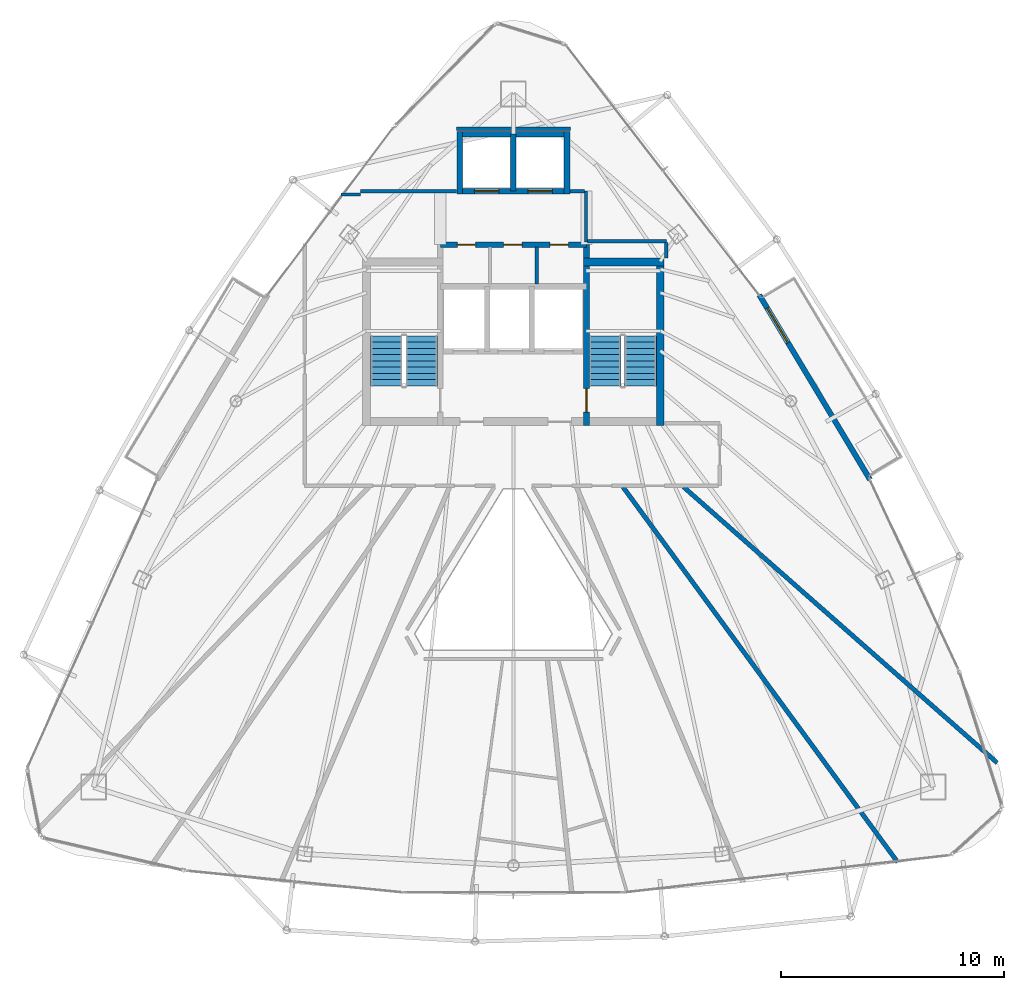
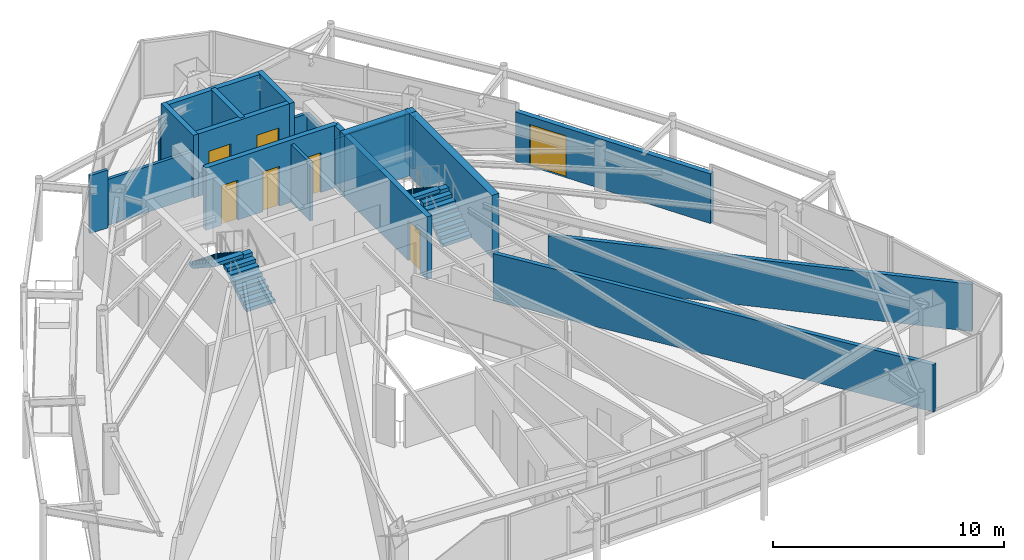
# One storey, part 26 of 28: 20 walls, 7 doors, 4 stair flights, 7 openings, 2 elements without a shape of their own.
"""IFC4 building model written with IfcOpenShell, lengths in metres."""

from ifc_helpers import new_model, si_unit, direction, frame, frame_2d, origin, place, context, subcontext, project, spatial, polyline, rectangle, outline, extrude, material, layer, layer_set, type_object, element, fill, aggregate, save


model = new_model("IFC4")

# Units and contexts
model_context = context("Model", 3, precision=1e-05, world=origin(), true_north=direction((0.0, 1.0)))
body_context = subcontext(model_context, "Body", "Model", "MODEL_VIEW")
ifc_project = project(units=[si_unit("LENGTHUNIT", "METRE"), si_unit("AREAUNIT", "SQUARE_METRE"), si_unit("VOLUMEUNIT", "CUBIC_METRE"), si_unit("PLANEANGLEUNIT", "RADIAN"), si_unit("MASSUNIT", "GRAM", prefix="KILO")], contexts=[model_context])

# Site, building, storey
site_placement = place(None, origin())
site = spatial("IfcSite", under=ifc_project, at=site_placement, CompositionType="ELEMENT")
building_placement = place(site_placement, origin())
building = spatial("IfcBuilding", under=site, at=building_placement, Name="Orvanel Arch Residences", CompositionType="ELEMENT")
storey_placement = place(building_placement, frame((0.0, 0.0, 263.449951171875)))
storey = spatial("IfcBuildingStorey", under=building, at=storey_placement, Name="L75", CompositionType="ELEMENT", Elevation=263.449951171875)

# Wall, opening, door
ifc_material_1 = material(Name="Precast concrete N50 (50 MPa)", Category="concrete")
ifc_layer_1 = layer(ifc_material_1, 0.239990234375)
ifc_layer_set_1 = layer_set([ifc_layer_1], Name="Precast concrete N50 (50 MPa)")
wall_type_1 = type_object("IfcWallType", Name="EW-BAL-240", PredefinedType="SOLIDWALL", material=ifc_layer_set_1)
wall_1_placement = place(storey_placement, frame((48.97998046875, 24.1220703125, 0.0), z_axis=(0.0, 0.0, 1.0), x_axis=(-0.514361929684, 0.857573206958, 0.0)))
wall_1 = element("IfcWall", 1, at=wall_1_placement, inside=storey, type_object=wall_type_1, Name="L75 Balcony Threshold Wall Face 3", PredefinedType="SOLIDWALL", context=body_context, shape_type="SweptSolid", body=[
    extrude(rectangle(XDim=9.65869140625, YDim=0.239990234375, at=frame_2d((4.829345703125, 0.0))), origin(), (0.0, 0.0, 1.0), 2.6240234375),
])
opening_1_placement = place(wall_1_placement, frame((7.162109375, 0.0, 0.0)))
opening_1 = element("IfcOpeningElement", 2, at=opening_1_placement, cuts=wall_1, Name="Opening DB-180", PredefinedType="OPENING", context=body_context, shape_type="SweptSolid", body=[
    extrude(rectangle(XDim=1.800048828125, YDim=2.199951171875, at=frame_2d((0.89990234375, 1.10009765625))), frame((0.0, 0.1298828125, 0.0), z_axis=(0.0, -1.0, 0.0), x_axis=(1.0, 0.0, 0.0)), (0.0, 0.0, 1.0), 0.260009765625),
])
ifc_material_2 = material(Name="Bronze-anodised aluminium AA6063-T6", Category="aluminium")
door_type_1 = type_object("IfcDoorType", Name="DR-BAL-1800", OperationType="NOTDEFINED", PredefinedType="DOOR", material=ifc_material_2)
door_1_placement = place(opening_1_placement, origin())
door_1 = element("IfcDoor", 3, at=door_1_placement, inside=storey, type_object=door_type_1, Name="DR-L75-BAL-F3 L75 Planted Balcony Access Door Face 3", OperationType="SINGLE_SWING_RIGHT", OverallHeight=2.199951171875, OverallWidth=1.800048828125, PredefinedType="DOOR", context=body_context, shape_type="SweptSolid", body=[
    extrude(rectangle(XDim=1.800048828125, YDim=2.199951171875, at=frame_2d((0.89990234375, 1.10009765625))), frame((0.0, 0.02490234375, 0.0), z_axis=(0.0, -1.0, 0.0), x_axis=(1.0, 0.0, 0.0)), (0.0, 0.0, 1.0), 0.050048828125),
])
fill(opening_1, door_1)

ifc_material_3 = material(Name="Concrete N50 (50 MPa)", Category="concrete")
ifc_layer_2 = layer(ifc_material_3, 0.25)
ifc_layer_set_2 = layer_set([ifc_layer_2], Name="Concrete N50 (50 MPa)")
wall_type_2 = type_object("IfcWallType", Name="SW-CORE-250", PredefinedType="SHEAR", material=ifc_layer_set_2)
wall_2_placement = place(storey_placement, frame((36.27490234375, 26.550048828125, 0.0), z_axis=(0.0, 0.0, 1.0), x_axis=(0.0, 1.0, 0.0)))
wall_2 = element("IfcWall", 4, at=wall_2_placement, inside=storey, type_object=wall_type_2, Name="L75 East Inner Core Spine Shear Wall", PredefinedType="SHEAR", context=body_context, shape_type="SweptSolid", body=[
    extrude(rectangle(XDim=8.099853515625, YDim=0.25, at=frame_2d((4.0498046875, 0.0))), origin(), (0.0, 0.0, 1.0), 3.300048828125),
])
opening_2_placement = place(wall_2_placement, frame((0.60009765625, 0.0, 0.0)))
opening_2 = element("IfcOpeningElement", 5, at=opening_2_placement, cuts=wall_2, Name="Opening DF-120", PredefinedType="OPENING", context=body_context, shape_type="SweptSolid", body=[
    extrude(rectangle(XDim=1.050048828125, YDim=2.14990234375, at=frame_2d((0.52490234375, 1.074951171875))), frame((0.0, 0.135009765625, 0.0), z_axis=(0.0, -1.0, 0.0), x_axis=(1.0, 0.0, 0.0)), (0.0, 0.0, 1.0), 0.27001953125),
])
ifc_material_4 = material(Name="Galvanised steel fire-resisting door assembly", Category="steel")
door_type_2 = type_object("IfcDoorType", Name="DR-FD120-1050", OperationType="NOTDEFINED", PredefinedType="DOOR", material=ifc_material_4)
door_2_placement = place(opening_2_placement, origin())
door_2 = element("IfcDoor", 6, at=door_2_placement, inside=storey, type_object=door_type_2, Name="DR-L75-ST2 L75 Stair 2 Fire Door", OperationType="SINGLE_SWING_RIGHT", OverallHeight=2.14990234375, OverallWidth=1.050048828125, PredefinedType="DOOR", context=body_context, shape_type="SweptSolid", body=[
    extrude(rectangle(XDim=1.050048828125, YDim=2.14990234375, at=frame_2d((0.52490234375, 1.074951171875))), frame((0.0, 0.02490234375, 0.0), z_axis=(0.0, -1.0, 0.0), x_axis=(1.0, 0.0, 0.0)), (0.0, 0.0, 1.0), 0.050048828125),
])
fill(opening_2, door_2)

# Wall, openings, doors
wall_3_placement = place(storey_placement, frame((29.72509765625, 34.64990234375, 0.0), z_axis=(0.0, 0.0, 1.0), x_axis=(1.0, 0.0, 0.0)))
wall_3 = element("IfcWall", 7, at=wall_3_placement, inside=storey, type_object=wall_type_2, Name="L75 Core Service Band North Shear Wall", PredefinedType="SHEAR", context=body_context, shape_type="SweptSolid", body=[
    extrude(rectangle(XDim=6.5498046875, YDim=0.25, at=frame_2d((3.27490234375, 0.0))), origin(), (0.0, 0.0, 1.0), 3.300048828125),
])
opening_3_placement = place(wall_3_placement, frame((0.764892578125, 0.0, 0.0)))
opening_3 = element("IfcOpeningElement", 8, at=opening_3_placement, cuts=wall_3, Name="Opening DS-082", PredefinedType="OPENING", context=body_context, shape_type="SweptSolid", body=[
    extrude(rectangle(XDim=0.820068359375, YDim=2.10009765625, at=frame_2d((0.41015625, 1.050048828125))), frame((0.0, 0.135009765625, 0.0), z_axis=(0.0, -1.0, 0.0), x_axis=(1.0, 0.0, 0.0)), (0.0, 0.0, 1.0), 0.27001953125),
])
opening_4_placement = place(wall_3_placement, frame((2.840087890625, 0.0, 0.0)))
opening_4 = element("IfcOpeningElement", 9, at=opening_4_placement, cuts=wall_3, Name="Opening DS-082", PredefinedType="OPENING", context=body_context, shape_type="SweptSolid", body=[
    extrude(rectangle(XDim=0.820068359375, YDim=2.10009765625, at=frame_2d((0.41015625, 1.050048828125))), frame((0.0, 0.135009765625, 0.0), z_axis=(0.0, -1.0, 0.0), x_axis=(1.0, 0.0, 0.0)), (0.0, 0.0, 1.0), 0.27001953125),
])
opening_5_placement = place(wall_3_placement, frame((4.9150390625, 0.0, 0.0)))
opening_5 = element("IfcOpeningElement", 10, at=opening_5_placement, cuts=wall_3, Name="Opening DS-082", PredefinedType="OPENING", context=body_context, shape_type="SweptSolid", body=[
    extrude(rectangle(XDim=0.820068359375, YDim=2.10009765625, at=frame_2d((0.41015625, 1.050048828125))), frame((0.0, 0.135009765625, 0.0), z_axis=(0.0, -1.0, 0.0), x_axis=(1.0, 0.0, 0.0)), (0.0, 0.0, 1.0), 0.27001953125),
])
door_type_3 = type_object("IfcDoorType", Name="DR-SVC-820", OperationType="NOTDEFINED", PredefinedType="DOOR", material=ifc_material_4)
door_3_placement = place(opening_3_placement, origin())
door_3 = element("IfcDoor", 11, at=door_3_placement, inside=storey, type_object=door_type_3, Name="DR-L75-CSVC-1 L75 Housekeeping Store Door", OperationType="SINGLE_SWING_LEFT", OverallHeight=2.10009765625, OverallWidth=0.820068359375, PredefinedType="DOOR", context=body_context, shape_type="SweptSolid", body=[
    extrude(rectangle(XDim=0.820068359375, YDim=2.10009765625, at=frame_2d((0.41015625, 1.050048828125))), frame((0.0, 0.02490234375, 0.0), z_axis=(0.0, -1.0, 0.0), x_axis=(1.0, 0.0, 0.0)), (0.0, 0.0, 1.0), 0.050048828125),
])
fill(opening_3, door_3)
door_4_placement = place(opening_4_placement, origin())
door_4 = element("IfcDoor", 12, at=door_4_placement, inside=storey, type_object=door_type_3, Name="DR-L75-CSVC-2 L75 Cleaner's Store Door", OperationType="SINGLE_SWING_LEFT", OverallHeight=2.10009765625, OverallWidth=0.820068359375, PredefinedType="DOOR", context=body_context, shape_type="SweptSolid", body=[
    extrude(rectangle(XDim=0.820068359375, YDim=2.10009765625, at=frame_2d((0.41015625, 1.050048828125))), frame((0.0, 0.02490234375, 0.0), z_axis=(0.0, -1.0, 0.0), x_axis=(1.0, 0.0, 0.0)), (0.0, 0.0, 1.0), 0.050048828125),
])
fill(opening_4, door_4)
door_5_placement = place(opening_5_placement, origin())
door_5 = element("IfcDoor", 13, at=door_5_placement, inside=storey, type_object=door_type_3, Name="DR-L75-CSVC-3 L75 Comms Riser Store Door", OperationType="SINGLE_SWING_LEFT", OverallHeight=2.10009765625, OverallWidth=0.820068359375, PredefinedType="DOOR", context=body_context, shape_type="SweptSolid", body=[
    extrude(rectangle(XDim=0.820068359375, YDim=2.10009765625, at=frame_2d((0.41015625, 1.050048828125))), frame((0.0, 0.02490234375, 0.0), z_axis=(0.0, -1.0, 0.0), x_axis=(1.0, 0.0, 0.0)), (0.0, 0.0, 1.0), 0.050048828125),
])
fill(opening_5, door_5)

wall_4_placement = place(storey_placement, frame((35.52490234375, 37.050048828125, 0.0), z_axis=(0.0, 0.0, 1.0), x_axis=(-1.0, 0.0, 0.0)))
wall_4 = element("IfcWall", 14, at=wall_4_placement, inside=storey, type_object=wall_type_2, Name="L75 Passenger Lift Bank Front Shear Wall", PredefinedType="SHEAR", context=body_context, shape_type="SweptSolid", body=[
    extrude(rectangle(XDim=5.0498046875, YDim=0.25, at=frame_2d((2.52490234375, 0.0))), origin(), (0.0, 0.0, 1.0), 3.300048828125),
])
opening_6_placement = place(wall_4_placement, frame((3.175048828125, 0.0, 0.0)))
opening_6 = element("IfcOpeningElement", 15, at=opening_6_placement, cuts=wall_4, Name="Opening LD-110", PredefinedType="OPENING", context=body_context, shape_type="SweptSolid", body=[
    extrude(rectangle(XDim=1.10009765625, YDim=2.199951171875, at=frame_2d((0.550048828125, 1.10009765625))), frame((0.0, 0.135009765625, 0.0), z_axis=(0.0, -1.0, 0.0), x_axis=(1.0, 0.0, 0.0)), (0.0, 0.0, 1.0), 0.27001953125),
])
opening_7_placement = place(wall_4_placement, frame((0.77490234375, 0.0, 0.0)))
opening_7 = element("IfcOpeningElement", 16, at=opening_7_placement, cuts=wall_4, Name="Opening LD-110", PredefinedType="OPENING", context=body_context, shape_type="SweptSolid", body=[
    extrude(rectangle(XDim=1.10009765625, YDim=2.199951171875, at=frame_2d((0.550048828125, 1.10009765625))), frame((0.0, 0.135009765625, 0.0), z_axis=(0.0, -1.0, 0.0), x_axis=(1.0, 0.0, 0.0)), (0.0, 0.0, 1.0), 0.27001953125),
])
door_type_4 = type_object("IfcDoorType", Name="DR-LFT-1100", OperationType="NOTDEFINED", PredefinedType="DOOR", material=ifc_material_4)
door_6_placement = place(opening_6_placement, origin())
door_6 = element("IfcDoor", 17, at=door_6_placement, inside=storey, type_object=door_type_4, Name="LD-P5-L75 L75 Passenger Lift P5 Sliding Landing Door", OperationType="DOUBLE_DOOR_SLIDING", OverallHeight=2.199951171875, OverallWidth=1.10009765625, PredefinedType="DOOR", context=body_context, shape_type="SweptSolid", body=[
    extrude(rectangle(XDim=1.10009765625, YDim=2.199951171875, at=frame_2d((0.550048828125, 1.10009765625))), frame((0.0, 0.02490234375, 0.0), z_axis=(0.0, -1.0, 0.0), x_axis=(1.0, 0.0, 0.0)), (0.0, 0.0, 1.0), 0.050048828125),
])
fill(opening_6, door_6)
door_7_placement = place(opening_7_placement, origin())
door_7 = element("IfcDoor", 18, at=door_7_placement, inside=storey, type_object=door_type_4, Name="LD-P6-L75 L75 Passenger Lift P6 Sliding Landing Door", OperationType="DOUBLE_DOOR_SLIDING", OverallHeight=2.199951171875, OverallWidth=1.10009765625, PredefinedType="DOOR", context=body_context, shape_type="SweptSolid", body=[
    extrude(rectangle(XDim=1.10009765625, YDim=2.199951171875, at=frame_2d((0.550048828125, 1.10009765625))), frame((0.0, 0.02490234375, 0.0), z_axis=(0.0, -1.0, 0.0), x_axis=(1.0, 0.0, 0.0)), (0.0, 0.0, 1.0), 0.050048828125),
])
fill(opening_7, door_7)

# Walls
wall_5_placement = place(storey_placement, frame((30.47509765625, 39.60009765625, 0.0), z_axis=(0.0, 0.0, 1.0), x_axis=(1.0, 0.0, 0.0)))
element("IfcWall", 19, at=wall_5_placement, inside=storey, type_object=wall_type_2, Name="L75 Passenger Lift Bank North Shear Wall", PredefinedType="SHEAR", context=body_context, shape_type="SweptSolid", body=[
    extrude(rectangle(XDim=5.0498046875, YDim=0.25, at=frame_2d((2.52490234375, 0.0))), origin(), (0.0, 0.0, 1.0), 3.300048828125),
])
for number, where, z_axis, x_axis, name in (
    (20, (30.60009765625, 36.925048828125, 0.0), (0.0, 0.0, 1.0), (0.0, 1.0, 0.0), "L75 Passenger Lift Bank West Shear Wall"),
    (21, (35.39990234375, 36.925048828125, 0.0), (0.0, 0.0, 1.0), (0.0, 1.0, 0.0), "L75 Passenger Lift Bank East Shear Wall"),
):
    element("IfcWall", number, at=place(storey_placement, frame(where, z_axis=z_axis, x_axis=x_axis)), inside=storey, type_object=wall_type_2, Name=name, PredefinedType="SHEAR", context=body_context, shape_type="SweptSolid", body=[
        extrude(rectangle(XDim=2.800048828125, YDim=0.25, at=frame_2d((1.39990234375, 0.0))), origin(), (0.0, 0.0, 1.0), 3.300048828125),
    ])
wall_6_placement = place(storey_placement, frame((33.0, 37.050048828125, 0.0), z_axis=(0.0, 0.0, 1.0), x_axis=(0.0, 1.0, 0.0)))
element("IfcWall", 22, at=wall_6_placement, inside=storey, type_object=wall_type_2, Name="L75 Passenger Lift Inter-Shaft Wall P56", PredefinedType="SHEAR", context=body_context, shape_type="SweptSolid", body=[
    extrude(rectangle(XDim=2.550048828125, YDim=0.25, at=frame_2d((1.27490234375, 0.0))), origin(), (0.0, 0.0, 1.0), 3.300048828125),
])
ifc_layer_3 = layer(ifc_material_3, 0.35009765625)
ifc_layer_set_3 = layer_set([ifc_layer_3], Name="Concrete N50 (50 MPa)")
wall_type_3 = type_object("IfcWallType", Name="SW-CORE-350", PredefinedType="SHEAR", material=ifc_layer_set_3)
wall_7_placement = place(storey_placement, frame((39.574951171875, 26.550048828125, 0.0), z_axis=(0.0, 0.0, 1.0), x_axis=(0.0, 1.0, 0.0)))
element("IfcWall", 23, at=wall_7_placement, inside=storey, type_object=wall_type_3, Name="L75 East Stair Shear Wall", PredefinedType="SHEAR", context=body_context, shape_type="SweptSolid", body=[
    extrude(rectangle(XDim=7.5, YDim=0.35009765625, at=frame_2d((3.75, 0.0))), origin(), (0.0, 0.0, 1.0), 3.300048828125),
])
wall_8_placement = place(storey_placement, frame((36.14990234375, 33.875, 0.0), z_axis=(0.0, 0.0, 1.0), x_axis=(1.0, 0.0, 0.0)))
element("IfcWall", 24, at=wall_8_placement, inside=storey, type_object=wall_type_3, Name="L75 East Stair North Shear Wall", PredefinedType="SHEAR", context=body_context, shape_type="SweptSolid", body=[
    extrude(rectangle(XDim=3.60009765625, YDim=0.35009765625, at=frame_2d((1.800048828125, 0.0))), origin(), (0.0, 0.0, 1.0), 3.300048828125),
])
ifc_material_5 = material(Name="Fire-rated plasterboard lined steel stud partition", Category="steel")
ifc_layer_4 = layer(ifc_material_5, 0.14990234375)
ifc_layer_set_4 = layer_set([ifc_layer_4], Name="Fire-rated plasterboard lined steel stud partition")
wall_type_4 = type_object("IfcWallType", Name="W-COR-150", PredefinedType="PARTITIONING", material=ifc_layer_set_4)
wall_9_placement = place(storey_placement, frame((36.25, 34.760009765625, 0.0), z_axis=(0.0, 0.0, 1.0), x_axis=(0.0, 1.0, 0.0)))
element("IfcWall", 25, at=wall_9_placement, inside=storey, type_object=wall_type_4, Name="L75 Passenger Lift Lobby East Closure Wall", PredefinedType="PARTITIONING", context=body_context, shape_type="SweptSolid", body=[
    extrude(rectangle(XDim=2.2900390625, YDim=0.14990234375, at=frame_2d((1.14501953125, 0.0))), origin(), (0.0, 0.0, 1.0), 2.425048828125),
])
wall_10_placement = place(storey_placement, frame((35.52490234375, 37.050048828125, 0.0), z_axis=(0.0, 0.0, 1.0), x_axis=(1.0, 0.0, 0.0)))
element("IfcWall", 26, at=wall_10_placement, inside=storey, type_object=wall_type_4, Name="L75 Passenger Lift Lobby North-East Wall", PredefinedType="PARTITIONING", context=body_context, shape_type="SweptSolid", body=[
    extrude(rectangle(XDim=0.6650390625, YDim=0.14990234375, at=frame_2d((0.33251953125, 0.0))), origin(), (0.0, 0.0, 1.0), 2.425048828125),
])
wall_11_placement = place(storey_placement, frame((25.26708984375, 36.89990234375, 0.0), z_axis=(0.0, 0.0, 1.0), x_axis=(1.0, 0.0, 0.0)))
element("IfcWall", 27, at=wall_11_placement, inside=storey, type_object=wall_type_4, Name="L75 Corridor Fire-Rated Partition", PredefinedType="PARTITIONING", context=body_context, shape_type="SweptSolid", body=[
    extrude(rectangle(XDim=0.8828125, YDim=0.14990234375, at=frame_2d((0.44140625, 0.0))), origin(), (0.0, 0.0, 1.0), 3.06005859375),
])
wall_12_placement = place(storey_placement, frame((26.14990234375, 37.050048828125, 0.0), z_axis=(0.0, 0.0, 1.0), x_axis=(1.0, 0.0, 0.0)))
element("IfcWall", 28, at=wall_12_placement, inside=storey, type_object=wall_type_4, Name="L75 Core Perimeter Partition", PredefinedType="PARTITIONING", context=body_context, shape_type="SweptSolid", body=[
    extrude(rectangle(XDim=4.300048828125, YDim=0.14990234375, at=frame_2d((2.14990234375, 0.0))), origin(), (0.0, 0.0, 1.0), 2.425048828125),
])
wall_13_placement = place(storey_placement, frame((30.449951171875, 39.85009765625, 0.0), z_axis=(0.0, 0.0, 1.0), x_axis=(1.0, 0.0, 0.0)))
element("IfcWall", 29, at=wall_13_placement, inside=storey, type_object=wall_type_4, Name="L75 Core Perimeter Partition", PredefinedType="PARTITIONING", context=body_context, shape_type="SweptSolid", body=[
    extrude(rectangle(XDim=5.10009765625, YDim=0.14990234375, at=frame_2d((2.550048828125, 0.0))), origin(), (0.0, 0.0, 1.0), 2.491943359375),
])
wall_14_placement = place(storey_placement, frame((36.31005859375, 34.800048828125, 0.0), z_axis=(0.0, 0.0, 1.0), x_axis=(1.0, 0.0, 0.0)))
element("IfcWall", 30, at=wall_14_placement, inside=storey, type_object=wall_type_4, Name="L75 Core Perimeter Partition", PredefinedType="PARTITIONING", context=body_context, shape_type="SweptSolid", body=[
    extrude(rectangle(XDim=3.5400390625, YDim=0.14990234375, at=frame_2d((1.77001953125, 0.0))), origin(), (0.0, 0.0, 1.0), 2.425048828125),
])
wall_15_placement = place(storey_placement, frame((39.85009765625, 34.739990234375, 0.0), z_axis=(0.0, 0.0, 1.0), x_axis=(0.0, -1.0, 0.0)))
element("IfcWall", 31, at=wall_15_placement, inside=storey, type_object=wall_type_4, Name="L75 Core Perimeter Partition", PredefinedType="PARTITIONING", context=body_context, shape_type="SweptSolid", body=[
    extrude(rectangle(XDim=0.68994140625, YDim=0.14990234375, at=frame_2d((0.344970703125, 0.0))), origin(), (0.0, 0.0, 1.0), 2.77294921875),
])
ifc_layer_5 = layer(ifc_material_5, 0.199951171875)
ifc_layer_set_5 = layer_set([ifc_layer_5], Name="Fire-rated plasterboard lined steel stud partition")
wall_type_5 = type_object("IfcWallType", Name="W-DEM-200", PredefinedType="PARTITIONING", material=ifc_layer_set_5)
wall_16_placement = place(storey_placement, frame((54.673095703125, 11.43798828125, 0.0), z_axis=(0.0, 0.0, 1.0), x_axis=(-0.750894752688, 0.660421888179, 0.0)))
element("IfcWall", 32, at=wall_16_placement, inside=storey, type_object=wall_type_5, Name="L75 Inter-Tenancy Acoustic Demising Wall", PredefinedType="PARTITIONING", context=body_context, shape_type="SweptSolid", body=[
    extrude(rectangle(XDim=18.703369140625, YDim=0.199951171875, at=frame_2d((9.3515625, 0.0))), origin(), (0.0, 0.0, 1.0), 2.491943359375),
])
wall_17_placement = place(storey_placement, frame((50.219970703125, 6.97607421875, 0.0), z_axis=(0.0, 0.0, 1.0), x_axis=(-0.59066502199, 0.80691686796, 0.0)))
element("IfcWall", 33, at=wall_17_placement, inside=storey, type_object=wall_type_5, Name="L75 Inter-Tenancy Acoustic Demising Wall", PredefinedType="PARTITIONING", context=body_context, shape_type="SweptSolid", body=[
    extrude(rectangle(XDim=20.83740234375, YDim=0.199951171875, at=frame_2d((10.418701171875, 0.0))), origin(), (0.0, 0.0, 1.0), 2.491943359375),
])
ifc_layer_6 = layer(ifc_material_5, 0.14990234375)
ifc_layer_set_6 = layer_set([ifc_layer_6], Name="Fire-rated plasterboard lined steel stud partition")
wall_type_6 = type_object("IfcWallType", Name="W-ST-150", PredefinedType="PARTITIONING", material=ifc_layer_set_6)
wall_18_placement = place(storey_placement, frame((34.050048828125, 32.885009765625, 0.0), z_axis=(0.0, 0.0, 1.0), x_axis=(0.0, 1.0, 0.0)))
element("IfcWall", 34, at=wall_18_placement, inside=storey, type_object=wall_type_6, Name="L75 Core Service Partition 2", PredefinedType="PARTITIONING", context=body_context, shape_type="SweptSolid", body=[
    extrude(rectangle(XDim=1.655029296875, YDim=0.14990234375, at=frame_2d((0.82763671875, 0.0))), origin(), (0.0, 0.0, 1.0), 3.06005859375),
])

# Stair, stair flights
stair_type = type_object("IfcStairType", Name="STR-DOG-184", PredefinedType="USERDEFINED", material=ifc_material_1)
stair_1_placement = place(storey_placement, origin())
stair_1 = element("IfcStair", 35, at=stair_1_placement, inside=storey, type_object=stair_type, Name="L75 Fire-Isolated Core Exit Stair 1", ObjectType="TWO_RETURN_STAIR", PredefinedType="USERDEFINED")
stair_flight_type_1 = type_object("IfcStairFlightType", Name="SFL-C1-184", PredefinedType="STRAIGHT", material=ifc_material_1)
stair_flight_1_placement = place(storey_placement, frame((28.889892578125, 28.320068359375, 0.0), z_axis=(0.0, 0.0, 1.0), x_axis=(0.0, 1.0, 0.0)))
stair_flight_1 = element("IfcStairFlight", 36, at=stair_flight_1_placement, type_object=stair_flight_type_1, Name="ST-1 flight 1", NumberOfRisers=9, NumberOfTreads=8, PredefinedType="STRAIGHT", RiserHeight=0.183333333, TreadLength=0.28, context=body_context, shape_type="SweptSolid", body=[
    extrude(outline(polyline([(0.0, 0.0), (0.0, 0.183349609375), (0.280029296875, 0.183349609375), (0.280029296875, 0.36669921875), (0.56005859375, 0.36669921875), (0.56005859375, 0.550048828125), (0.840087890625, 0.550048828125), (0.840087890625, 0.7333984375), (1.1201171875, 0.7333984375), (1.1201171875, 0.916748046875), (1.39990234375, 0.916748046875), (1.39990234375, 1.10009765625), (1.679931640625, 1.10009765625), (1.679931640625, 1.283447265625), (1.9599609375, 1.283447265625), (1.9599609375, 1.466552734375), (2.239990234375, 1.466552734375), (2.239990234375, 1.64990234375), (2.239990234375, 1.28759765625), (0.273681640625, 0.0), (0.0, 0.0)])), frame((0.0, 0.7099609375, 0.0), z_axis=(0.0, -1.0, 0.0), x_axis=(1.0, 0.0, 0.0)), (0.0, 0.0, 1.0), 1.419921875),
])
stair_flight_2_placement = place(storey_placement, frame((27.31005859375, 30.56005859375, 1.650146484375), z_axis=(0.0, 0.0, 1.0), x_axis=(0.0, -1.0, 0.0)))
stair_flight_2 = element("IfcStairFlight", 37, at=stair_flight_2_placement, type_object=stair_flight_type_1, Name="ST-1 flight 2", NumberOfRisers=9, NumberOfTreads=8, PredefinedType="STRAIGHT", RiserHeight=0.183333333, TreadLength=0.28, context=body_context, shape_type="SweptSolid", body=[
    extrude(outline(polyline([(0.0, 0.0), (0.0, 0.183349609375), (0.280029296875, 0.183349609375), (0.280029296875, 0.36669921875), (0.56005859375, 0.36669921875), (0.56005859375, 0.550048828125), (0.840087890625, 0.550048828125), (0.840087890625, 0.7333984375), (1.1201171875, 0.7333984375), (1.1201171875, 0.916748046875), (1.39990234375, 0.916748046875), (1.39990234375, 1.10009765625), (1.679931640625, 1.10009765625), (1.679931640625, 1.283447265625), (1.9599609375, 1.283447265625), (1.9599609375, 1.466552734375), (2.239990234375, 1.466552734375), (2.239990234375, 1.64990234375), (2.239990234375, 1.28759765625), (0.273681640625, 0.0), (0.0, 0.0)])), frame((0.0, 0.7099609375, 0.0), z_axis=(0.0, -1.0, 0.0), x_axis=(1.0, 0.0, 0.0)), (0.0, 0.0, 1.0), 1.419921875),
])
aggregate(stair_1, [stair_flight_1, stair_flight_2])

stair_2_placement = place(storey_placement, origin())
stair_2 = element("IfcStair", 38, at=stair_2_placement, inside=storey, type_object=stair_type, Name="L75 Fire-Isolated Core Exit Stair 2", ObjectType="TWO_RETURN_STAIR", PredefinedType="USERDEFINED")
stair_flight_type_2 = type_object("IfcStairFlightType", Name="SFL-C2-184", PredefinedType="STRAIGHT", material=ifc_material_1)
stair_flight_3_placement = place(storey_placement, frame((38.68994140625, 28.320068359375, 0.0), z_axis=(0.0, 0.0, 1.0), x_axis=(0.0, 1.0, 0.0)))
stair_flight_3 = element("IfcStairFlight", 39, at=stair_flight_3_placement, type_object=stair_flight_type_2, Name="ST-2 flight 1", NumberOfRisers=9, NumberOfTreads=8, PredefinedType="STRAIGHT", RiserHeight=0.183333333, TreadLength=0.28, context=body_context, shape_type="SweptSolid", body=[
    extrude(outline(polyline([(0.0, 0.0), (0.0, 0.183349609375), (0.280029296875, 0.183349609375), (0.280029296875, 0.36669921875), (0.56005859375, 0.36669921875), (0.56005859375, 0.550048828125), (0.840087890625, 0.550048828125), (0.840087890625, 0.7333984375), (1.1201171875, 0.7333984375), (1.1201171875, 0.916748046875), (1.39990234375, 0.916748046875), (1.39990234375, 1.10009765625), (1.679931640625, 1.10009765625), (1.679931640625, 1.283447265625), (1.9599609375, 1.283447265625), (1.9599609375, 1.466552734375), (2.239990234375, 1.466552734375), (2.239990234375, 1.64990234375), (2.239990234375, 1.28759765625), (0.273681640625, 0.0), (0.0, 0.0)])), frame((0.0, 0.7099609375, 0.0), z_axis=(0.0, -1.0, 0.0), x_axis=(1.0, 0.0, 0.0)), (0.0, 0.0, 1.0), 1.419921875),
])
stair_flight_4_placement = place(storey_placement, frame((37.110107421875, 30.56005859375, 1.650146484375), z_axis=(0.0, 0.0, 1.0), x_axis=(0.0, -1.0, 0.0)))
stair_flight_4 = element("IfcStairFlight", 40, at=stair_flight_4_placement, type_object=stair_flight_type_2, Name="ST-2 flight 2", NumberOfRisers=9, NumberOfTreads=8, PredefinedType="STRAIGHT", RiserHeight=0.183333333, TreadLength=0.28, context=body_context, shape_type="SweptSolid", body=[
    extrude(outline(polyline([(0.0, 0.0), (0.0, 0.183349609375), (0.280029296875, 0.183349609375), (0.280029296875, 0.36669921875), (0.56005859375, 0.36669921875), (0.56005859375, 0.550048828125), (0.840087890625, 0.550048828125), (0.840087890625, 0.7333984375), (1.1201171875, 0.7333984375), (1.1201171875, 0.916748046875), (1.39990234375, 0.916748046875), (1.39990234375, 1.10009765625), (1.679931640625, 1.10009765625), (1.679931640625, 1.283447265625), (1.9599609375, 1.283447265625), (1.9599609375, 1.466552734375), (2.239990234375, 1.466552734375), (2.239990234375, 1.64990234375), (2.239990234375, 1.28759765625), (0.273681640625, 0.0), (0.0, 0.0)])), frame((0.0, 0.7099609375, 0.0), z_axis=(0.0, -1.0, 0.0), x_axis=(1.0, 0.0, 0.0)), (0.0, 0.0, 1.0), 1.419921875),
])
aggregate(stair_2, [stair_flight_3, stair_flight_4])

save(model, "model.ifc")
